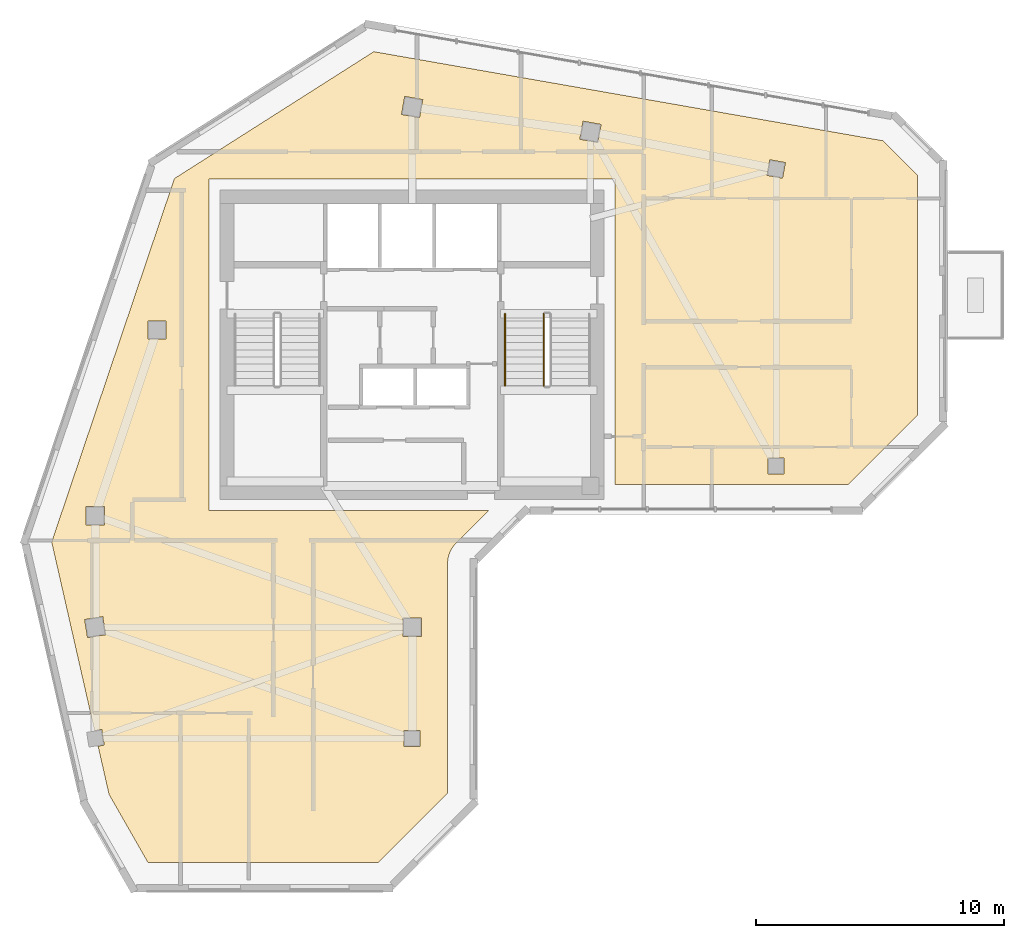
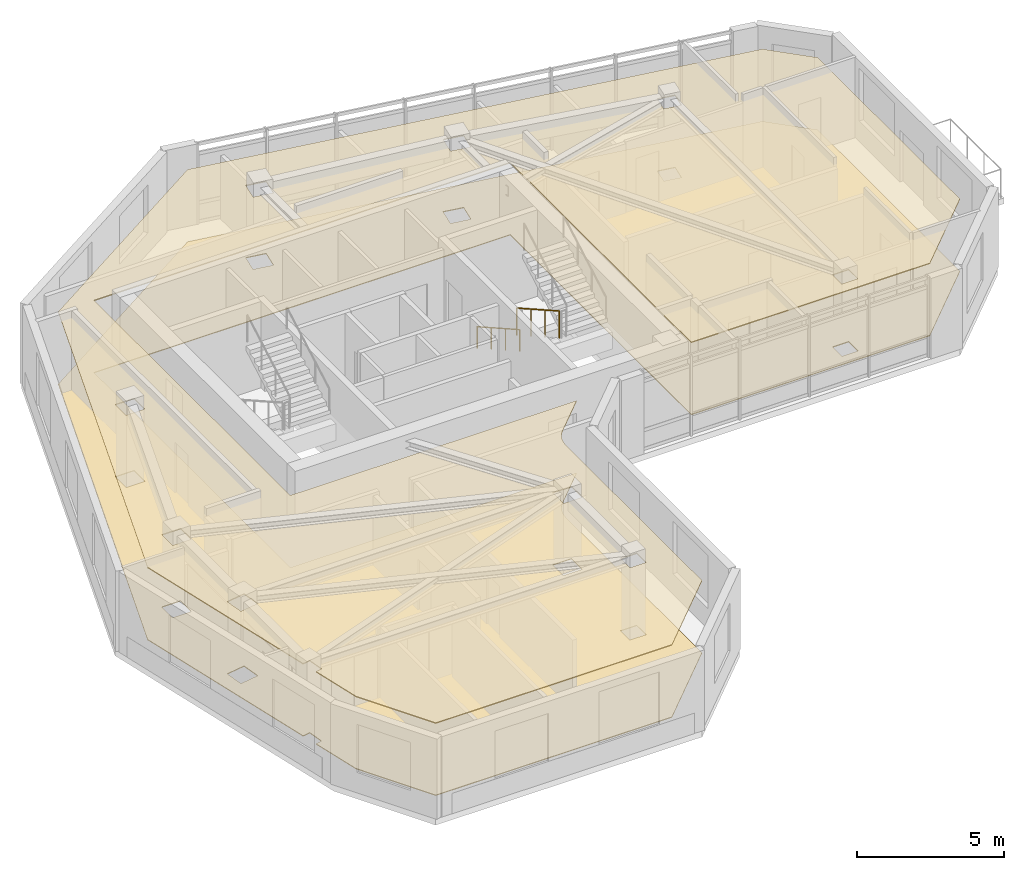
# One storey, part 9 of 10: 2 coverings, 2 railings.
"""IFC4 building model written with IfcOpenShell, lengths in metres."""

from ifc_helpers import new_model, si_unit, direction, frame, origin, origin_2d, place, context, subcontext, project, spatial, polyline, circle, outline, extrude, material, layer, layer_set, type_object, element, save


model = new_model("IFC4")

# Units and contexts
model_context = context("Model", 3, precision=1e-05, world=origin(), true_north=direction((0.0, 1.0)))
body_context = subcontext(model_context, "Body", "Model", "MODEL_VIEW")
ifc_project = project(units=[si_unit("LENGTHUNIT", "METRE"), si_unit("AREAUNIT", "SQUARE_METRE"), si_unit("VOLUMEUNIT", "CUBIC_METRE"), si_unit("PLANEANGLEUNIT", "RADIAN"), si_unit("MASSUNIT", "GRAM", prefix="KILO")], contexts=[model_context])

# Site, building, storey
site_placement = place(None, origin())
site = spatial("IfcSite", under=ifc_project, at=site_placement, CompositionType="ELEMENT")
building_placement = place(site_placement, origin())
building = spatial("IfcBuilding", under=site, at=building_placement, Name="Calvemar Wedge Station Tower", CompositionType="ELEMENT")
storey_placement = place(building_placement, frame((0.0, 0.0, 267.300048828125)))
storey = spatial("IfcBuildingStorey", under=building, at=storey_placement, Name="L68", CompositionType="ELEMENT", Elevation=267.300048828125)

# Coverings
ifc_material_1 = material(Name="Moisture-resistant gypsum ceiling")
ifc_layer_1 = layer(ifc_material_1, 0.0400390625)
ifc_layer_set_1 = layer_set([ifc_layer_1], Name="Moisture-resistant gypsum ceiling")
covering_type_1 = type_object("IfcCoveringType", Name="COV-CEIL-GYPSUM", PredefinedType="CEILING", material=ifc_layer_set_1)
covering_1_placement = place(storey_placement, frame((0.0, 0.0, 3.0)))
element("IfcCovering", 1, at=covering_1_placement, inside=storey, type_object=covering_type_1, Name="Storey L68 Acoustic Suspended Ceiling", PredefinedType="CEILING", context=body_context, shape_type="SweptSolid", body=[
    extrude(outline(polyline([(15.60009765625, 33.199951171875), (15.60009765625, 46.60009765625), (32.0, 46.60009765625), (32.0, 34.256103515625), (41.40283203125, 34.256103515625), (44.199951171875, 37.052978515625), (44.199951171875, 46.7587890625), (42.819580078125, 48.139404296875), (22.251708984375, 51.73779296875), (14.201416015625, 46.614990234375), (9.2451171875, 31.936279296875), (10.97607421875, 24.3203125), (11.265380859375, 24.36669921875), (11.36669921875, 23.734619140625), (11.118408203125, 23.69482421875), (11.5625, 21.740234375), (13.12841796875, 19.0), (22.434814453125, 19.0), (25.23193359375, 21.797119140625), (25.23193359375, 31.055908203125), (25.23779296875, 31.173583984375), (25.255126953125, 31.2900390625), (25.28369140625, 31.404296875), (25.3232421875, 31.51513671875), (25.373779296875, 31.62158203125), (25.43408203125, 31.72265625), (25.50439453125, 31.8173828125), (25.58349609375, 31.904541015625), (26.87890625, 33.199951171875), (15.60009765625, 33.199951171875)]), holes=[polyline([(11.3701171875, 33.3701171875), (11.3701171875, 32.6298828125), (10.6298828125, 32.6298828125), (10.6298828125, 33.3701171875), (11.3701171875, 33.3701171875)]), polyline([(13.8701171875, 40.1298828125), (13.1298828125, 40.1298828125), (13.1298828125, 40.8701171875), (13.8701171875, 40.8701171875), (13.8701171875, 40.1298828125)]), polyline([(23.370361328125, 49.201416015625), (23.50146484375, 49.9296875), (24.229736328125, 49.798583984375), (24.0986328125, 49.0703125), (23.370361328125, 49.201416015625)]), polyline([(30.701416015625, 48.9296875), (31.4296875, 48.798583984375), (31.298583984375, 48.0703125), (30.5703125, 48.201416015625), (30.701416015625, 48.9296875)]), polyline([(38.87158203125, 47.25830078125), (38.75830078125, 46.62841796875), (38.12841796875, 46.74169921875), (38.24169921875, 47.37158203125), (38.87158203125, 47.25830078125)]), polyline([(38.820068359375, 34.679931640625), (38.179931640625, 34.679931640625), (38.179931640625, 35.320068359375), (38.820068359375, 35.320068359375), (38.820068359375, 34.679931640625)]), polyline([(10.576171875, 28.806884765625), (11.306884765625, 28.923828125), (11.423828125, 28.193115234375), (10.693115234375, 28.076171875), (10.576171875, 28.806884765625)]), polyline([(24.169921875, 28.8701171875), (24.169921875, 28.1298828125), (23.429931640625, 28.1298828125), (23.429931640625, 28.8701171875), (24.169921875, 28.8701171875)]), polyline([(24.1201171875, 23.679931640625), (23.47998046875, 23.679931640625), (23.47998046875, 24.320068359375), (24.1201171875, 24.320068359375), (24.1201171875, 23.679931640625)])]), origin(), (0.0, 0.0, 1.0), 0.0400390625),
])
ifc_material_2 = material(Name="Honed coastal granite stone tile", Category="masonry")
ifc_layer_2 = layer(ifc_material_2, 0.030029296875)
ifc_layer_set_2 = layer_set([ifc_layer_2], Name="Honed coastal granite stone tile")
covering_type_2 = type_object("IfcCoveringType", Name="COV-FLR-STONE", PredefinedType="FLOORING", material=ifc_layer_set_2)
covering_2_placement = place(storey_placement, origin())
element("IfcCovering", 2, at=covering_2_placement, inside=storey, type_object=covering_type_2, Name="Storey L68 Architectural Floor Finish", PredefinedType="FLOORING", context=body_context, shape_type="SweptSolid", body=[
    extrude(outline(polyline([(15.60009765625, 33.199951171875), (15.60009765625, 46.60009765625), (32.0, 46.60009765625), (32.0, 34.256103515625), (41.40283203125, 34.256103515625), (44.199951171875, 37.052978515625), (44.199951171875, 46.7587890625), (42.819580078125, 48.139404296875), (22.251708984375, 51.73779296875), (14.201416015625, 46.614990234375), (9.2451171875, 31.936279296875), (10.97607421875, 24.3203125), (11.265380859375, 24.36669921875), (11.36669921875, 23.734619140625), (11.118408203125, 23.69482421875), (11.5625, 21.740234375), (13.12841796875, 19.0), (22.434814453125, 19.0), (25.23193359375, 21.797119140625), (25.23193359375, 31.055908203125), (25.23779296875, 31.173583984375), (25.255126953125, 31.2900390625), (25.28369140625, 31.404296875), (25.3232421875, 31.51513671875), (25.373779296875, 31.62158203125), (25.43408203125, 31.72265625), (25.50439453125, 31.8173828125), (25.58349609375, 31.904541015625), (26.87890625, 33.199951171875), (15.60009765625, 33.199951171875)]), holes=[polyline([(11.3701171875, 33.3701171875), (11.3701171875, 32.6298828125), (10.6298828125, 32.6298828125), (10.6298828125, 33.3701171875), (11.3701171875, 33.3701171875)]), polyline([(13.8701171875, 40.1298828125), (13.1298828125, 40.1298828125), (13.1298828125, 40.8701171875), (13.8701171875, 40.8701171875), (13.8701171875, 40.1298828125)]), polyline([(23.370361328125, 49.201416015625), (23.50146484375, 49.9296875), (24.229736328125, 49.798583984375), (24.0986328125, 49.0703125), (23.370361328125, 49.201416015625)]), polyline([(30.701416015625, 48.9296875), (31.4296875, 48.798583984375), (31.298583984375, 48.0703125), (30.5703125, 48.201416015625), (30.701416015625, 48.9296875)]), polyline([(38.87158203125, 47.25830078125), (38.75830078125, 46.62841796875), (38.12841796875, 46.74169921875), (38.24169921875, 47.37158203125), (38.87158203125, 47.25830078125)]), polyline([(38.820068359375, 34.679931640625), (38.179931640625, 34.679931640625), (38.179931640625, 35.320068359375), (38.820068359375, 35.320068359375), (38.820068359375, 34.679931640625)]), polyline([(10.576171875, 28.806884765625), (11.306884765625, 28.923828125), (11.423828125, 28.193115234375), (10.693115234375, 28.076171875), (10.576171875, 28.806884765625)]), polyline([(24.169921875, 28.8701171875), (24.169921875, 28.1298828125), (23.429931640625, 28.1298828125), (23.429931640625, 28.8701171875), (24.169921875, 28.8701171875)]), polyline([(24.1201171875, 23.679931640625), (23.47998046875, 23.679931640625), (23.47998046875, 24.320068359375), (24.1201171875, 24.320068359375), (24.1201171875, 23.679931640625)])]), origin(), (0.0, 0.0, 1.0), 0.030029296875),
])

# Railings
ifc_material_3 = material(Name="Stainless steel AISI 316L", Category="steel")
railing_type_1 = type_object("IfcRailingType", Name="RL-HANDRAIL-920", PredefinedType="HANDRAIL", material=ifc_material_3)
railing_1_placement = place(storey_placement, frame((27.550048828125, 41.14990234375, 0.16357421875)))
element("IfcRailing", 3, at=railing_1_placement, inside=storey, type_object=railing_type_1, Name="L68 ST-C2 stair handrail 1", PredefinedType="HANDRAIL", context=body_context, shape_type="SweptSolid", body=[
    extrude(circle(Radius=0.02392578125, at=origin_2d()), frame((0.0, 0.0, 0.89599609375), z_axis=(0.0, -0.870897200241, 0.491465224214), x_axis=(1.0, 0.0, 0.0)), (0.0, 0.0, 1.0), 3.329833984375),
    extrude(circle(Radius=0.02099609375, at=origin_2d()), origin(), (0.0, 0.0, 1.0), 0.871826171875),
    extrude(circle(Radius=0.02099609375, at=origin_2d()), frame((0.0, -0.966552734375, 0.54541015625)), (0.0, 0.0, 1.0), 0.871826171875),
    extrude(circle(Radius=0.02099609375, at=origin_2d()), frame((0.0, -1.933349609375, 1.091064453125)), (0.0, 0.0, 1.0), 0.871826171875),
    extrude(circle(Radius=0.02099609375, at=origin_2d()), frame((0.0, -2.89990234375, 1.636474609375)), (0.0, 0.0, 1.0), 0.871826171875),
])
ifc_material_4 = material(Name="Painted steel guardrail ASTM A500 Grade C", Category="steel")
railing_type_2 = type_object("IfcRailingType", Name="RL-STAIR-GUARD-1150", PredefinedType="GUARDRAIL", material=ifc_material_4)
railing_2_placement = place(storey_placement, frame((29.110107421875, 41.14990234375, 0.16357421875)))
element("IfcRailing", 4, at=railing_2_placement, inside=storey, type_object=railing_type_2, Name="L68 ST-C2 stair guard 1", PredefinedType="GUARDRAIL", context=body_context, shape_type="SweptSolid", body=[
    extrude(circle(Radius=0.02392578125, at=origin_2d()), frame((0.0, 0.0, 1.1259765625), z_axis=(0.0, -0.870897200241, 0.491465224214), x_axis=(1.0, 0.0, 0.0)), (0.0, 0.0, 1.0), 3.329833984375),
    extrude(circle(Radius=0.02099609375, at=origin_2d()), origin(), (0.0, 0.0, 1.0), 1.101806640625),
    extrude(circle(Radius=0.02099609375, at=origin_2d()), frame((0.0, -0.966552734375, 0.54541015625)), (0.0, 0.0, 1.0), 1.101806640625),
    extrude(circle(Radius=0.02099609375, at=origin_2d()), frame((0.0, -1.933349609375, 1.091064453125)), (0.0, 0.0, 1.0), 1.101806640625),
    extrude(circle(Radius=0.02099609375, at=origin_2d()), frame((0.0, -2.89990234375, 1.636474609375)), (0.0, 0.0, 1.0), 1.101806640625),
])

save(model, "model.ifc")
